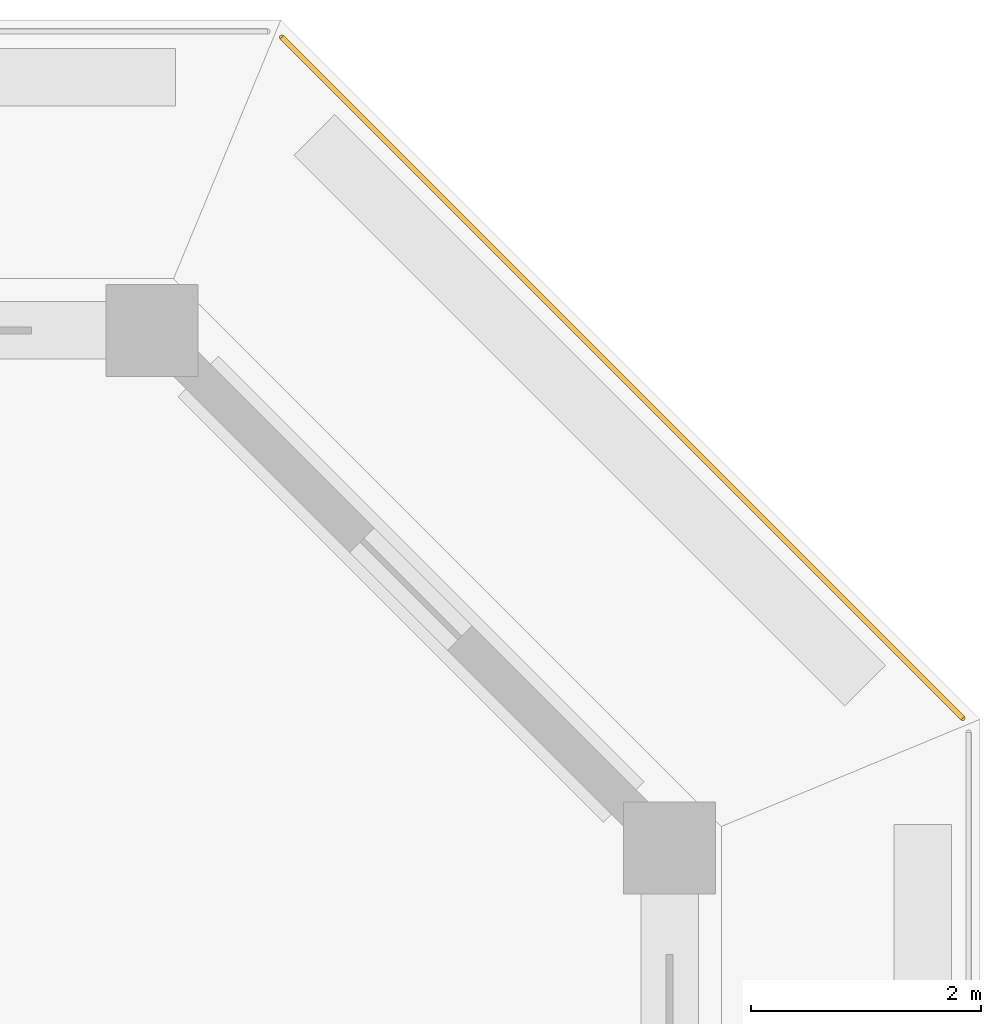
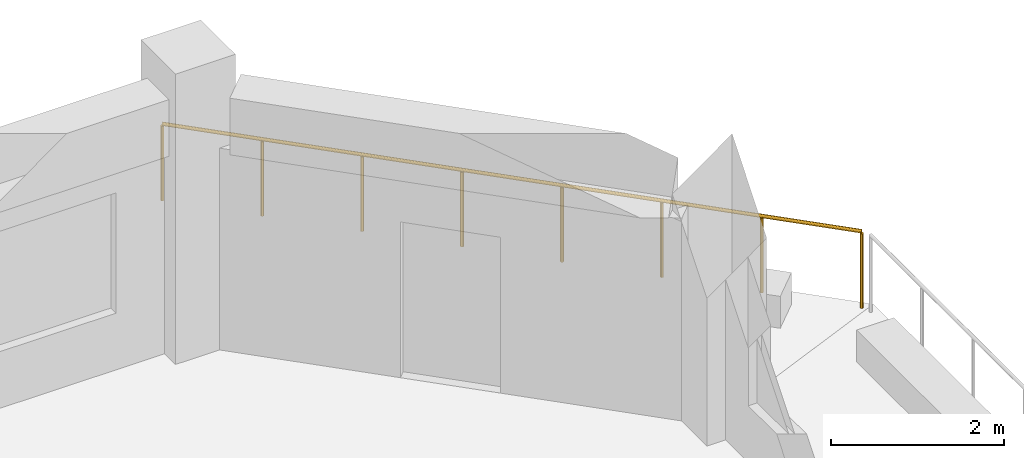
# One storey, part 13 of 14: 1 railing.
"""IFC4 building model written with IfcOpenShell, lengths in metres."""

from ifc_helpers import new_model, si_unit, direction, frame, origin, origin_2d, place, context, subcontext, project, spatial, circle, extrude, material, type_object, element, save


model = new_model("IFC4")

# Units and contexts
model_context = context("Model", 3, precision=1e-05, world=origin(), true_north=direction((0.0, 1.0)))
body_context = subcontext(model_context, "Body", "Model", "MODEL_VIEW")
ifc_project = project(units=[si_unit("LENGTHUNIT", "METRE"), si_unit("AREAUNIT", "SQUARE_METRE"), si_unit("VOLUMEUNIT", "CUBIC_METRE"), si_unit("PLANEANGLEUNIT", "RADIAN"), si_unit("MASSUNIT", "GRAM", prefix="KILO")], contexts=[model_context])

# Site, building, storey
site_placement = place(None, origin())
site = spatial("IfcSite", under=ifc_project, at=site_placement, CompositionType="ELEMENT")
building_placement = place(site_placement, origin())
building = spatial("IfcBuilding", under=site, at=building_placement, Name="Corbel Stack Research Tower", CompositionType="ELEMENT")
storey_placement = place(building_placement, frame((0.0, 0.0, 286.800048828125)))
storey = spatial("IfcBuildingStorey", under=building, at=storey_placement, Name="L65", CompositionType="ELEMENT", Elevation=286.800048828125)

# Railing
ifc_material = material(Name="Powder-coated steel guard", Category="steel")
railing_type = type_object("IfcRailingType", Name="Steel and glass guard 1100", PredefinedType="GUARDRAIL", material=ifc_material)
railing_placement = place(storey_placement, frame((25.04931640625, 23.627685546875, 0.0)))
element("IfcRailing", 1, at=railing_placement, inside=storey, type_object=railing_type, Name="Loggia guard L65 NE", PredefinedType="GUARDRAIL", context=body_context, shape_type="SweptSolid", body=[
    extrude(circle(Radius=0.02392578125, at=origin_2d()), frame((0.0, 0.0, 1.076171875), z_axis=(-0.707106781187, 0.707106781187, 0.0), x_axis=(-0.707106781187, -0.707106781187, 0.0)), (0.0, 0.0, 1.0), 8.37451171875),
    extrude(circle(Radius=0.02099609375, at=origin_2d()), origin(), (0.0, 0.0, 1.0), 1.052001953125),
    extrude(circle(Radius=0.02099609375, at=origin_2d()), frame((-0.845947265625, 0.845947265625, 0.0)), (0.0, 0.0, 1.0), 1.052001953125),
    extrude(circle(Radius=0.02099609375, at=origin_2d()), frame((-1.69189453125, 1.69189453125, 0.0)), (0.0, 0.0, 1.0), 1.052001953125),
    extrude(circle(Radius=0.02099609375, at=origin_2d()), frame((-2.537841796875, 2.537841796875, 0.0)), (0.0, 0.0, 1.0), 1.052001953125),
    extrude(circle(Radius=0.02099609375, at=origin_2d()), frame((-3.3837890625, 3.3837890625, 0.0)), (0.0, 0.0, 1.0), 1.052001953125),
    extrude(circle(Radius=0.02099609375, at=origin_2d()), frame((-4.229736328125, 4.229736328125, 0.0)), (0.0, 0.0, 1.0), 1.052001953125),
    extrude(circle(Radius=0.02099609375, at=origin_2d()), frame((-5.07568359375, 5.07568359375, 0.0)), (0.0, 0.0, 1.0), 1.052001953125),
    extrude(circle(Radius=0.02099609375, at=origin_2d()), frame((-5.921630859375, 5.921630859375, 0.0)), (0.0, 0.0, 1.0), 1.052001953125),
])

save(model, "model.ifc")
